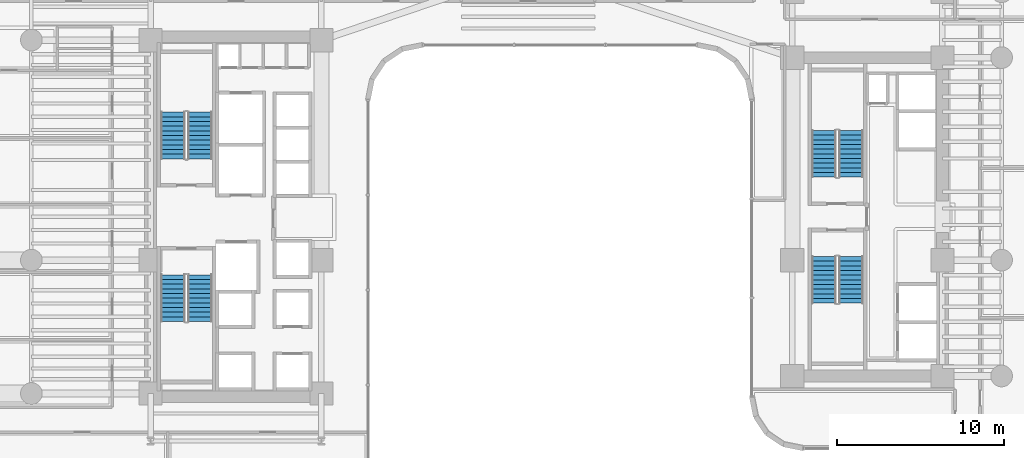
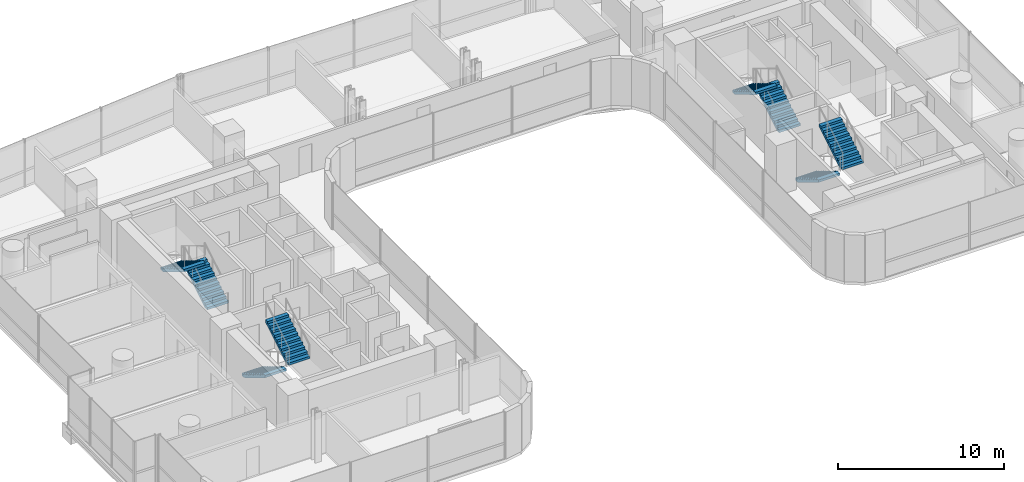
# One storey, part 35 of 39: 8 stair flights, 4 elements without a shape of their own.
"""IFC4 building model written with IfcOpenShell, lengths in metres."""

from ifc_helpers import new_model, si_unit, direction, frame, origin, place, context, subcontext, project, spatial, polyline, outline, extrude, material, type_object, element, aggregate, save


model = new_model("IFC4")

# Units and contexts
model_context = context("Model", 3, precision=1e-05, world=origin(), true_north=direction((0.0, 1.0)))
body_context = subcontext(model_context, "Body", "Model", "MODEL_VIEW")
ifc_project = project(units=[si_unit("LENGTHUNIT", "METRE"), si_unit("AREAUNIT", "SQUARE_METRE"), si_unit("VOLUMEUNIT", "CUBIC_METRE"), si_unit("PLANEANGLEUNIT", "RADIAN"), si_unit("MASSUNIT", "GRAM", prefix="KILO")], contexts=[model_context])

# Site, building, storey
site_placement = place(None, origin())
site = spatial("IfcSite", under=ifc_project, at=site_placement, CompositionType="ELEMENT")
building_placement = place(site_placement, origin())
building = spatial("IfcBuilding", under=site, at=building_placement, Name="Valdorenza Pilgrim Sanctuary Tower", CompositionType="ELEMENT")
storey_placement = place(building_placement, frame((0.0, 0.0, 33.39990234375)))
storey = spatial("IfcBuildingStorey", under=building, at=storey_placement, Name="L07", CompositionType="ELEMENT", Elevation=33.39990234375)

# Stair, stair flights
ifc_material = material(Name="Concrete C40/50", Category="concrete")
stair_type = type_object("IfcStairType", Name="STR-DOG-CORE", PredefinedType="HALF_TURN_STAIR", material=ifc_material)
stair_1_placement = place(storey_placement, origin())
stair_1 = element("IfcStair", 1, at=stair_1_placement, inside=storey, type_object=stair_type, Name="L07 ST-A1", PredefinedType="HALF_TURN_STAIR")
stair_flight_type = type_object("IfcStairFlightType", Name="STF-RC-1400", PredefinedType="STRAIGHT", material=ifc_material)
stair_flight_1_placement = place(storey_placement, frame((-19.679931640625, 3.47998046875, 0.0), z_axis=(0.0, 0.0, 1.0), x_axis=(0.0, 1.0, 0.0)))
stair_flight_1 = element("IfcStairFlight", 2, at=stair_flight_1_placement, type_object=stair_flight_type, Name="ST-A1 flight 1", NumberOfRisers=11, NumberOfTreads=10, PredefinedType="STRAIGHT", RiserHeight=0.168181818, TreadLength=0.28, context=body_context, shape_type="SweptSolid", body=[
    extrude(outline(polyline([(0.0, 0.0), (0.0, 0.168212890625), (0.280029296875, 0.168212890625), (0.280029296875, 0.33642578125), (0.56005859375, 0.33642578125), (0.56005859375, 0.504638671875), (0.840087890625, 0.504638671875), (0.840087890625, 0.672607421875), (1.1201171875, 0.672607421875), (1.1201171875, 0.8408203125), (1.39990234375, 0.8408203125), (1.39990234375, 1.009033203125), (1.679931640625, 1.009033203125), (1.679931640625, 1.17724609375), (1.9599609375, 1.17724609375), (1.9599609375, 1.345458984375), (2.239990234375, 1.345458984375), (2.239990234375, 1.513671875), (2.52001953125, 1.513671875), (2.52001953125, 1.681884765625), (2.800048828125, 1.681884765625), (2.800048828125, 1.85009765625), (2.800048828125, 1.5068359375), (0.291015625, 0.0), (0.0, 0.0)])), frame((0.0, 0.739990234375, 0.0), z_axis=(0.0, -1.0, 0.0), x_axis=(1.0, 0.0, 0.0)), (0.0, 0.0, 1.0), 1.47998046875),
])
stair_flight_2_placement = place(storey_placement, frame((-21.31005859375, 6.280029296875, 1.85009765625), z_axis=(0.0, 0.0, 1.0), x_axis=(0.0, -1.0, 0.0)))
stair_flight_2 = element("IfcStairFlight", 3, at=stair_flight_2_placement, type_object=stair_flight_type, Name="ST-A1 flight 2", NumberOfRisers=11, NumberOfTreads=10, PredefinedType="STRAIGHT", RiserHeight=0.168181818, TreadLength=0.28, context=body_context, shape_type="SweptSolid", body=[
    extrude(outline(polyline([(0.0, 0.0), (0.0, 0.168212890625), (0.280029296875, 0.168212890625), (0.280029296875, 0.33642578125), (0.56005859375, 0.33642578125), (0.56005859375, 0.504638671875), (0.840087890625, 0.504638671875), (0.840087890625, 0.672607421875), (1.1201171875, 0.672607421875), (1.1201171875, 0.8408203125), (1.39990234375, 0.8408203125), (1.39990234375, 1.009033203125), (1.679931640625, 1.009033203125), (1.679931640625, 1.17724609375), (1.9599609375, 1.17724609375), (1.9599609375, 1.345458984375), (2.239990234375, 1.345458984375), (2.239990234375, 1.513671875), (2.52001953125, 1.513671875), (2.52001953125, 1.681884765625), (2.800048828125, 1.681884765625), (2.800048828125, 1.85009765625), (2.800048828125, 1.5068359375), (0.291015625, 0.0), (0.0, 0.0)])), frame((0.0, 0.739990234375, 0.0), z_axis=(0.0, -1.0, 0.0), x_axis=(1.0, 0.0, 0.0)), (0.0, 0.0, 1.0), 1.47998046875),
])
aggregate(stair_1, [stair_flight_1, stair_flight_2])

stair_2_placement = place(storey_placement, origin())
stair_2 = element("IfcStair", 4, at=stair_2_placement, inside=storey, type_object=stair_type, Name="L07 ST-A2", PredefinedType="HALF_TURN_STAIR")
stair_flight_3_placement = place(storey_placement, frame((-21.31005859375, -3.47998046875, 0.0), z_axis=(0.0, 0.0, 1.0), x_axis=(0.0, -1.0, 0.0)))
stair_flight_3 = element("IfcStairFlight", 5, at=stair_flight_3_placement, type_object=stair_flight_type, Name="ST-A2 flight 1", NumberOfRisers=11, NumberOfTreads=10, PredefinedType="STRAIGHT", RiserHeight=0.168181818, TreadLength=0.28, context=body_context, shape_type="SweptSolid", body=[
    extrude(outline(polyline([(0.0, 0.0), (0.0, 0.168212890625), (0.280029296875, 0.168212890625), (0.280029296875, 0.33642578125), (0.56005859375, 0.33642578125), (0.56005859375, 0.504638671875), (0.840087890625, 0.504638671875), (0.840087890625, 0.672607421875), (1.1201171875, 0.672607421875), (1.1201171875, 0.8408203125), (1.39990234375, 0.8408203125), (1.39990234375, 1.009033203125), (1.679931640625, 1.009033203125), (1.679931640625, 1.17724609375), (1.9599609375, 1.17724609375), (1.9599609375, 1.345458984375), (2.239990234375, 1.345458984375), (2.239990234375, 1.513671875), (2.52001953125, 1.513671875), (2.52001953125, 1.681884765625), (2.800048828125, 1.681884765625), (2.800048828125, 1.85009765625), (2.800048828125, 1.5068359375), (0.291015625, 0.0), (0.0, 0.0)])), frame((0.0, 0.739990234375, 0.0), z_axis=(0.0, -1.0, 0.0), x_axis=(1.0, 0.0, 0.0)), (0.0, 0.0, 1.0), 1.47998046875),
])
stair_flight_4_placement = place(storey_placement, frame((-19.679931640625, -6.280029296875, 1.85009765625), z_axis=(0.0, 0.0, 1.0), x_axis=(0.0, 1.0, 0.0)))
stair_flight_4 = element("IfcStairFlight", 6, at=stair_flight_4_placement, type_object=stair_flight_type, Name="ST-A2 flight 2", NumberOfRisers=11, NumberOfTreads=10, PredefinedType="STRAIGHT", RiserHeight=0.168181818, TreadLength=0.28, context=body_context, shape_type="SweptSolid", body=[
    extrude(outline(polyline([(0.0, 0.0), (0.0, 0.168212890625), (0.280029296875, 0.168212890625), (0.280029296875, 0.33642578125), (0.56005859375, 0.33642578125), (0.56005859375, 0.504638671875), (0.840087890625, 0.504638671875), (0.840087890625, 0.672607421875), (1.1201171875, 0.672607421875), (1.1201171875, 0.8408203125), (1.39990234375, 0.8408203125), (1.39990234375, 1.009033203125), (1.679931640625, 1.009033203125), (1.679931640625, 1.17724609375), (1.9599609375, 1.17724609375), (1.9599609375, 1.345458984375), (2.239990234375, 1.345458984375), (2.239990234375, 1.513671875), (2.52001953125, 1.513671875), (2.52001953125, 1.681884765625), (2.800048828125, 1.681884765625), (2.800048828125, 1.85009765625), (2.800048828125, 1.5068359375), (0.291015625, 0.0), (0.0, 0.0)])), frame((0.0, 0.739990234375, 0.0), z_axis=(0.0, -1.0, 0.0), x_axis=(1.0, 0.0, 0.0)), (0.0, 0.0, 1.0), 1.47998046875),
])
aggregate(stair_2, [stair_flight_3, stair_flight_4])

stair_3_placement = place(storey_placement, origin())
stair_3 = element("IfcStair", 7, at=stair_3_placement, inside=storey, type_object=stair_type, Name="L07 ST-B1", PredefinedType="HALF_TURN_STAIR")
stair_flight_5_placement = place(storey_placement, frame((19.3701171875, 2.3798828125, 0.0), z_axis=(0.0, 0.0, 1.0), x_axis=(0.0, 1.0, 0.0)))
stair_flight_5 = element("IfcStairFlight", 8, at=stair_flight_5_placement, type_object=stair_flight_type, Name="ST-B1 flight 1", NumberOfRisers=11, NumberOfTreads=10, PredefinedType="STRAIGHT", RiserHeight=0.168181818, TreadLength=0.28, context=body_context, shape_type="SweptSolid", body=[
    extrude(outline(polyline([(0.0, 0.0), (0.0, 0.168212890625), (0.280029296875, 0.168212890625), (0.280029296875, 0.33642578125), (0.56005859375, 0.33642578125), (0.56005859375, 0.504638671875), (0.840087890625, 0.504638671875), (0.840087890625, 0.672607421875), (1.1201171875, 0.672607421875), (1.1201171875, 0.8408203125), (1.39990234375, 0.8408203125), (1.39990234375, 1.009033203125), (1.679931640625, 1.009033203125), (1.679931640625, 1.17724609375), (1.9599609375, 1.17724609375), (1.9599609375, 1.345458984375), (2.239990234375, 1.345458984375), (2.239990234375, 1.513671875), (2.52001953125, 1.513671875), (2.52001953125, 1.681884765625), (2.800048828125, 1.681884765625), (2.800048828125, 1.85009765625), (2.800048828125, 1.5068359375), (0.291015625, 0.0), (0.0, 0.0)])), frame((0.0, 0.739990234375, 0.0), z_axis=(0.0, -1.0, 0.0), x_axis=(1.0, 0.0, 0.0)), (0.0, 0.0, 1.0), 1.47998046875),
])
stair_flight_6_placement = place(storey_placement, frame((17.739990234375, 5.179931640625, 1.85009765625), z_axis=(0.0, 0.0, 1.0), x_axis=(0.0, -1.0, 0.0)))
stair_flight_6 = element("IfcStairFlight", 9, at=stair_flight_6_placement, type_object=stair_flight_type, Name="ST-B1 flight 2", NumberOfRisers=11, NumberOfTreads=10, PredefinedType="STRAIGHT", RiserHeight=0.168181818, TreadLength=0.28, context=body_context, shape_type="SweptSolid", body=[
    extrude(outline(polyline([(0.0, 0.0), (0.0, 0.168212890625), (0.280029296875, 0.168212890625), (0.280029296875, 0.33642578125), (0.56005859375, 0.33642578125), (0.56005859375, 0.504638671875), (0.840087890625, 0.504638671875), (0.840087890625, 0.672607421875), (1.1201171875, 0.672607421875), (1.1201171875, 0.8408203125), (1.39990234375, 0.8408203125), (1.39990234375, 1.009033203125), (1.679931640625, 1.009033203125), (1.679931640625, 1.17724609375), (1.9599609375, 1.17724609375), (1.9599609375, 1.345458984375), (2.239990234375, 1.345458984375), (2.239990234375, 1.513671875), (2.52001953125, 1.513671875), (2.52001953125, 1.681884765625), (2.800048828125, 1.681884765625), (2.800048828125, 1.85009765625), (2.800048828125, 1.5068359375), (0.291015625, 0.0), (0.0, 0.0)])), frame((0.0, 0.739990234375, 0.0), z_axis=(0.0, -1.0, 0.0), x_axis=(1.0, 0.0, 0.0)), (0.0, 0.0, 1.0), 1.47998046875),
])
aggregate(stair_3, [stair_flight_5, stair_flight_6])

stair_4_placement = place(storey_placement, origin())
stair_4 = element("IfcStair", 10, at=stair_4_placement, inside=storey, type_object=stair_type, Name="L07 ST-B2", PredefinedType="HALF_TURN_STAIR")
stair_flight_7_placement = place(storey_placement, frame((17.739990234375, -2.3798828125, 0.0), z_axis=(0.0, 0.0, 1.0), x_axis=(0.0, -1.0, 0.0)))
stair_flight_7 = element("IfcStairFlight", 11, at=stair_flight_7_placement, type_object=stair_flight_type, Name="ST-B2 flight 1", NumberOfRisers=11, NumberOfTreads=10, PredefinedType="STRAIGHT", RiserHeight=0.168181818, TreadLength=0.28, context=body_context, shape_type="SweptSolid", body=[
    extrude(outline(polyline([(0.0, 0.0), (0.0, 0.168212890625), (0.280029296875, 0.168212890625), (0.280029296875, 0.33642578125), (0.56005859375, 0.33642578125), (0.56005859375, 0.504638671875), (0.840087890625, 0.504638671875), (0.840087890625, 0.672607421875), (1.1201171875, 0.672607421875), (1.1201171875, 0.8408203125), (1.39990234375, 0.8408203125), (1.39990234375, 1.009033203125), (1.679931640625, 1.009033203125), (1.679931640625, 1.17724609375), (1.9599609375, 1.17724609375), (1.9599609375, 1.345458984375), (2.239990234375, 1.345458984375), (2.239990234375, 1.513671875), (2.52001953125, 1.513671875), (2.52001953125, 1.681884765625), (2.800048828125, 1.681884765625), (2.800048828125, 1.85009765625), (2.800048828125, 1.5068359375), (0.291015625, 0.0), (0.0, 0.0)])), frame((0.0, 0.739990234375, 0.0), z_axis=(0.0, -1.0, 0.0), x_axis=(1.0, 0.0, 0.0)), (0.0, 0.0, 1.0), 1.47998046875),
])
stair_flight_8_placement = place(storey_placement, frame((19.3701171875, -5.179931640625, 1.85009765625), z_axis=(0.0, 0.0, 1.0), x_axis=(0.0, 1.0, 0.0)))
stair_flight_8 = element("IfcStairFlight", 12, at=stair_flight_8_placement, type_object=stair_flight_type, Name="ST-B2 flight 2", NumberOfRisers=11, NumberOfTreads=10, PredefinedType="STRAIGHT", RiserHeight=0.168181818, TreadLength=0.28, context=body_context, shape_type="SweptSolid", body=[
    extrude(outline(polyline([(0.0, 0.0), (0.0, 0.168212890625), (0.280029296875, 0.168212890625), (0.280029296875, 0.33642578125), (0.56005859375, 0.33642578125), (0.56005859375, 0.504638671875), (0.840087890625, 0.504638671875), (0.840087890625, 0.672607421875), (1.1201171875, 0.672607421875), (1.1201171875, 0.8408203125), (1.39990234375, 0.8408203125), (1.39990234375, 1.009033203125), (1.679931640625, 1.009033203125), (1.679931640625, 1.17724609375), (1.9599609375, 1.17724609375), (1.9599609375, 1.345458984375), (2.239990234375, 1.345458984375), (2.239990234375, 1.513671875), (2.52001953125, 1.513671875), (2.52001953125, 1.681884765625), (2.800048828125, 1.681884765625), (2.800048828125, 1.85009765625), (2.800048828125, 1.5068359375), (0.291015625, 0.0), (0.0, 0.0)])), frame((0.0, 0.739990234375, 0.0), z_axis=(0.0, -1.0, 0.0), x_axis=(1.0, 0.0, 0.0)), (0.0, 0.0, 1.0), 1.47998046875),
])
aggregate(stair_4, [stair_flight_7, stair_flight_8])

save(model, "model.ifc")
